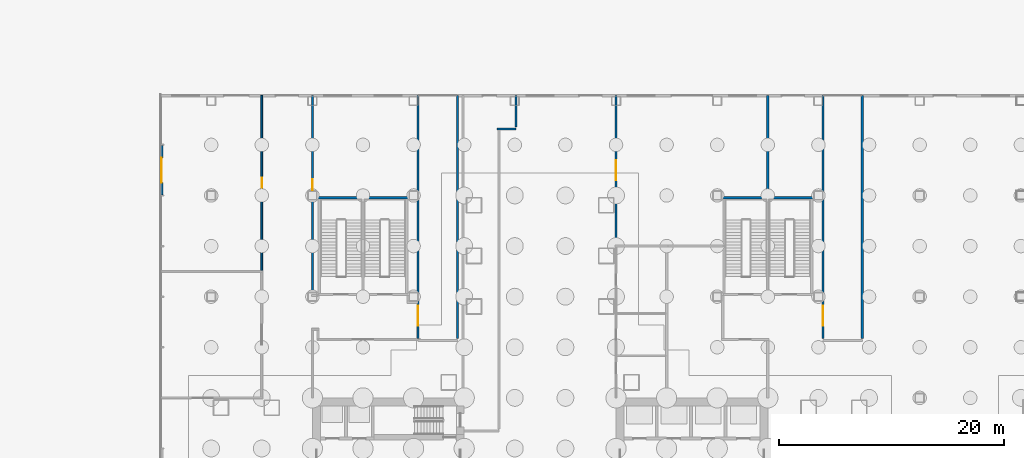
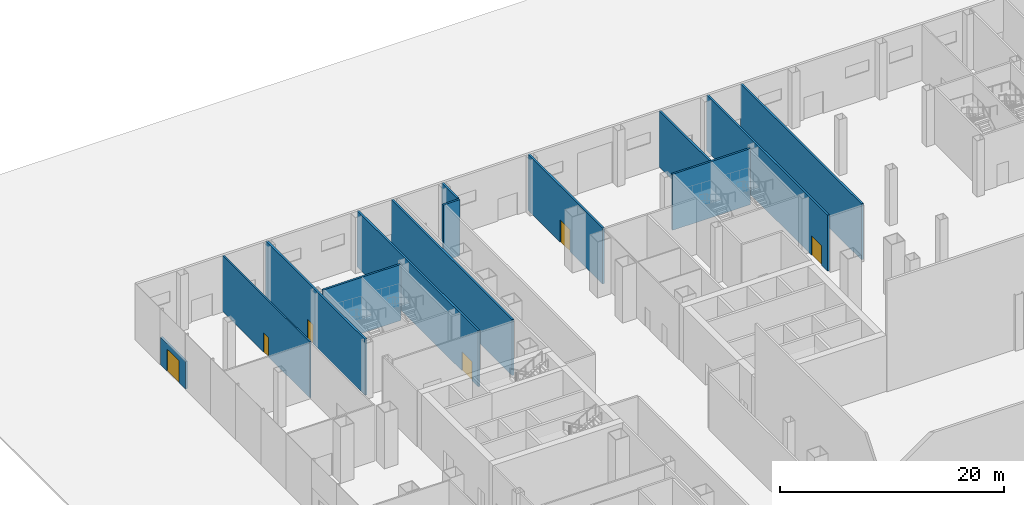
# One storey, part 24 of 37: 13 walls, 6 doors, 6 openings.
"""IFC4 building model written with IfcOpenShell, lengths in metres."""

from ifc_helpers import new_model, si_unit, direction, frame, frame_2d, origin, place, context, subcontext, project, spatial, rectangle, extrude, material, layer, layer_set, type_object, element, fill, save


model = new_model("IFC4")

# Units and contexts
model_context = context("Model", 3, precision=1e-05, world=origin(), true_north=direction((0.0, 1.0)))
body_context = subcontext(model_context, "Body", "Model", "MODEL_VIEW")
ifc_project = project(units=[si_unit("LENGTHUNIT", "METRE"), si_unit("AREAUNIT", "SQUARE_METRE"), si_unit("VOLUMEUNIT", "CUBIC_METRE"), si_unit("PLANEANGLEUNIT", "RADIAN"), si_unit("MASSUNIT", "GRAM", prefix="KILO")], contexts=[model_context])

# Site, building, storey
site_placement = place(None, origin())
site = spatial("IfcSite", under=ifc_project, at=site_placement, CompositionType="ELEMENT")
building_placement = place(site_placement, origin())
building = spatial("IfcBuilding", under=site, at=building_placement, Name="Shamsa Quay Exchange Towers", CompositionType="ELEMENT")
storey_placement = place(building_placement, origin())
storey = spatial("IfcBuildingStorey", under=building, at=storey_placement, Name="L00", CompositionType="ELEMENT", Elevation=0.0)

# Wall, opening, door
ifc_material_1 = material(Name="Aluminium EN AW-6063 T6, black anodised, with black enamelled glass infill", Category="aluminium")
ifc_layer_1 = layer(ifc_material_1, 0.199951171875)
ifc_layer_set_1 = layer_set([ifc_layer_1], Name="ENTRANCE DOOR BAY WALL 200")
wall_type_1 = type_object("IfcWallType", Name="ENTRANCE DOOR BAY WALL 200", PredefinedType="SOLIDWALL", material=ifc_layer_set_1)
wall_1_placement = place(storey_placement, frame((-67.39990234375, 24.7900390625, 0.0), z_axis=(0.0, 0.0, 1.0), x_axis=(0.0, 1.0, 0.0)))
wall_1 = element("IfcWall", 1, at=wall_1_placement, inside=storey, type_object=wall_type_1, Name="Entrance bay Street door 3", PredefinedType="SOLIDWALL", context=body_context, shape_type="SweptSolid", body=[
    extrude(rectangle(XDim=4.419921875, YDim=0.199951171875, at=frame_2d((2.2099609375, 0.0))), origin(), (0.0, 0.0, 1.0), 3.0),
])
opening_1_placement = place(wall_1_placement, frame((1.110107421875, 0.0, 0.0)))
opening_1 = element("IfcOpeningElement", 2, at=opening_1_placement, cuts=wall_1, Name="Opening XD021", PredefinedType="OPENING", context=body_context, shape_type="SweptSolid", body=[
    extrude(rectangle(XDim=2.199951171875, YDim=2.39990234375, at=frame_2d((1.10009765625, 1.199951171875))), frame((0.0, 0.10986328125, 0.0), z_axis=(0.0, -1.0, 0.0), x_axis=(1.0, 0.0, 0.0)), (0.0, 0.0, 1.0), 0.219970703125),
])
ifc_material_2 = material(Name="Aluminium EN AW-6063 T6, black anodised, with laminated glass leaves", Category="aluminium")
door_type_1 = type_object("IfcDoorType", Name="SHOP DOOR 2200x2400", OperationType="DOUBLE_DOOR_SINGLE_SWING", PredefinedType="DOOR", material=ifc_material_2)
door_1_placement = place(opening_1_placement, origin())
door_1 = element("IfcDoor", 3, at=door_1_placement, inside=storey, type_object=door_type_1, Name="Shop door Street door 3", OperationType="DOUBLE_DOOR_SINGLE_SWING", OverallHeight=2.39990234375, OverallWidth=2.199951171875, PredefinedType="DOOR", context=body_context, shape_type="SweptSolid", body=[
    extrude(rectangle(XDim=2.199951171875, YDim=2.39990234375, at=frame_2d((1.10009765625, 1.199951171875))), frame((0.0, 0.02490234375, 0.0), z_axis=(0.0, -1.0, 0.0), x_axis=(1.0, 0.0, 0.0)), (0.0, 0.0, 1.0), 0.050048828125),
])
fill(opening_1, door_1)

ifc_material_3 = material(Name="Gypsum board partition on metal studs")
ifc_layer_2 = layer(ifc_material_3, 0.14990234375)
ifc_layer_set_2 = layer_set([ifc_layer_2], Name="Partition 150 mm EI 60")
wall_type_2 = type_object("IfcWallType", Name="Partition 150 mm EI 60", PredefinedType="PARTITIONING", material=ifc_layer_set_2)
wall_2_placement = place(storey_placement, frame((-58.5, 18.074951171875, 0.0), z_axis=(0.0, 0.0, 1.0), x_axis=(0.0, 1.0, 0.0)))
wall_2 = element("IfcWall", 4, at=wall_2_placement, inside=storey, type_object=wall_type_2, Name="Partition PD-L00-W74", PredefinedType="PARTITIONING", context=body_context, shape_type="SweptSolid", body=[
    extrude(rectangle(XDim=15.580078125, YDim=0.14990234375, at=frame_2d((7.7900390625, 0.0))), origin(), (0.0, 0.0, 1.0), 6.10009765625),
])
opening_2_placement = place(wall_2_placement, frame((7.35009765625, 0.0, 0.0)))
opening_2 = element("IfcOpeningElement", 5, at=opening_2_placement, cuts=wall_2, Name="Opening PD-L00-D07", PredefinedType="OPENING", context=body_context, shape_type="SweptSolid", body=[
    extrude(rectangle(XDim=0.89990234375, YDim=2.10009765625, at=frame_2d((0.449951171875, 1.050048828125))), frame((0.0, 0.0849609375, 0.0), z_axis=(0.0, -1.0, 0.0), x_axis=(1.0, 0.0, 0.0)), (0.0, 0.0, 1.0), 0.169921875),
])
ifc_material_4 = material(Name="Timber door leaf in a metal frame", Category="wood")
door_type_2 = type_object("IfcDoorType", Name="Door 900x2100 FD30S", OperationType="NOTDEFINED", PredefinedType="DOOR", material=ifc_material_4)
door_2_placement = place(opening_2_placement, origin())
door_2 = element("IfcDoor", 6, at=door_2_placement, inside=storey, type_object=door_type_2, Name="Door PD-L00-D07", OperationType="SINGLE_SWING_RIGHT", OverallHeight=2.10009765625, OverallWidth=0.89990234375, PredefinedType="DOOR", context=body_context, shape_type="SweptSolid", body=[
    extrude(rectangle(XDim=0.89990234375, YDim=2.10009765625, at=frame_2d((0.449951171875, 1.050048828125))), frame((0.0, 0.02490234375, 0.0), z_axis=(0.0, -1.0, 0.0), x_axis=(1.0, 0.0, 0.0)), (0.0, 0.0, 1.0), 0.050048828125),
])
fill(opening_2, door_2)

# Walls
ifc_layer_3 = layer(ifc_material_3, 0.199951171875)
ifc_layer_set_3 = layer_set([ifc_layer_3], Name="Partition 200 mm EI 120")
wall_type_3 = type_object("IfcWallType", Name="Partition 200 mm EI 120", PredefinedType="PARTITIONING", material=ifc_layer_set_3)
wall_3_placement = place(storey_placement, frame((-35.89990234375, 30.85009765625, 0.0), z_axis=(0.0, 0.0, 1.0), x_axis=(0.0, 1.0, 0.0)))
element("IfcWall", 7, at=wall_3_placement, inside=storey, type_object=wall_type_3, Name="Partition PD-L00-W11", PredefinedType="PARTITIONING", context=body_context, shape_type="SweptSolid", body=[
    extrude(rectangle(XDim=2.804931640625, YDim=0.199951171875, at=frame_2d((1.40234375, 0.0))), origin(), (0.0, 0.0, 1.0), 6.10009765625),
])
wall_4_placement = place(storey_placement, frame((-37.60009765625, 30.64990234375, 0.0)))
element("IfcWall", 8, at=wall_4_placement, inside=storey, type_object=wall_type_3, Name="Partition PD-L00-W14", PredefinedType="PARTITIONING", context=body_context, shape_type="SweptSolid", body=[
    extrude(rectangle(XDim=1.7001953125, YDim=0.199951171875, at=frame_2d((0.85009765625, 0.0))), origin(), (0.0, 0.0, 1.0), 6.10009765625),
])

# Wall, opening, door
wall_5_placement = place(storey_placement, frame((-44.60009765625, 33.655029296875, 0.0), z_axis=(0.0, 0.0, 1.0), x_axis=(0.0, -1.0, 0.0)))
wall_5 = element("IfcWall", 9, at=wall_5_placement, inside=storey, type_object=wall_type_3, Name="Partition PD-L00-W24", PredefinedType="PARTITIONING", context=body_context, shape_type="SweptSolid", body=[
    extrude(rectangle(XDim=21.604736328125, YDim=0.199951171875, at=frame_2d((10.80224609375, 0.0))), origin(), (0.0, 0.0, 1.0), 6.10009765625),
])
opening_3_placement = place(wall_5_placement, frame((18.704833984375, 0.0, 0.0)))
opening_3 = element("IfcOpeningElement", 10, at=opening_3_placement, cuts=wall_5, Name="Opening PD-L00-D13", PredefinedType="OPENING", context=body_context, shape_type="SweptSolid", body=[
    extrude(rectangle(XDim=1.800048828125, YDim=2.10009765625, at=frame_2d((0.89990234375, 1.050048828125))), frame((0.0, 0.10986328125, 0.0), z_axis=(0.0, -1.0, 0.0), x_axis=(1.0, 0.0, 0.0)), (0.0, 0.0, 1.0), 0.219970703125),
])
door_type_3 = type_object("IfcDoorType", Name="Door 1800x2100 FD90 pair", OperationType="NOTDEFINED", PredefinedType="DOOR", material=ifc_material_4)
door_3_placement = place(opening_3_placement, origin())
door_3 = element("IfcDoor", 11, at=door_3_placement, inside=storey, type_object=door_type_3, Name="Door PD-L00-D13", OperationType="DOUBLE_DOOR_SINGLE_SWING", OverallHeight=2.10009765625, OverallWidth=1.800048828125, PredefinedType="DOOR", context=body_context, shape_type="SweptSolid", body=[
    extrude(rectangle(XDim=1.800048828125, YDim=2.10009765625, at=frame_2d((0.89990234375, 1.050048828125))), frame((0.0, 0.02490234375, 0.0), z_axis=(0.0, -1.0, 0.0), x_axis=(1.0, 0.0, 0.0)), (0.0, 0.0, 1.0), 0.050048828125),
])
fill(opening_3, door_3)

# Wall
wall_6_placement = place(storey_placement, frame((-41.10009765625, 12.05029296875, 0.0), z_axis=(0.0, 0.0, 1.0), x_axis=(0.0, 1.0, 0.0)))
element("IfcWall", 12, at=wall_6_placement, inside=storey, type_object=wall_type_3, Name="Partition PD-L00-W31", PredefinedType="PARTITIONING", context=body_context, shape_type="SweptSolid", body=[
    extrude(rectangle(XDim=21.604736328125, YDim=0.199951171875, at=frame_2d((10.80224609375, 0.0))), origin(), (0.0, 0.0, 1.0), 6.10009765625),
])

# Wall, opening, door
wall_7_placement = place(storey_placement, frame((-8.60009765625, 33.655029296875, 0.0), z_axis=(0.0, 0.0, 1.0), x_axis=(0.0, -1.0, 0.0)))
wall_7 = element("IfcWall", 13, at=wall_7_placement, inside=storey, type_object=wall_type_3, Name="Partition PD-L00-W32", PredefinedType="PARTITIONING", context=body_context, shape_type="SweptSolid", body=[
    extrude(rectangle(XDim=21.604736328125, YDim=0.199951171875, at=frame_2d((10.80224609375, 0.0))), origin(), (0.0, 0.0, 1.0), 6.10009765625),
])
opening_4_placement = place(wall_7_placement, frame((18.704833984375, 0.0, 0.0)))
opening_4 = element("IfcOpeningElement", 14, at=opening_4_placement, cuts=wall_7, Name="Opening PD-L00-D21", PredefinedType="OPENING", context=body_context, shape_type="SweptSolid", body=[
    extrude(rectangle(XDim=1.800048828125, YDim=2.10009765625, at=frame_2d((0.89990234375, 1.050048828125))), frame((0.0, 0.10986328125, 0.0), z_axis=(0.0, -1.0, 0.0), x_axis=(1.0, 0.0, 0.0)), (0.0, 0.0, 1.0), 0.219970703125),
])
door_4_placement = place(opening_4_placement, origin())
door_4 = element("IfcDoor", 15, at=door_4_placement, inside=storey, type_object=door_type_3, Name="Door PD-L00-D21", OperationType="DOUBLE_DOOR_SINGLE_SWING", OverallHeight=2.10009765625, OverallWidth=1.800048828125, PredefinedType="DOOR", context=body_context, shape_type="SweptSolid", body=[
    extrude(rectangle(XDim=1.800048828125, YDim=2.10009765625, at=frame_2d((0.89990234375, 1.050048828125))), frame((0.0, 0.02490234375, 0.0), z_axis=(0.0, -1.0, 0.0), x_axis=(1.0, 0.0, 0.0)), (0.0, 0.0, 1.0), 0.050048828125),
])
fill(opening_4, door_4)

# Wall
wall_8_placement = place(storey_placement, frame((-5.10009765625, 12.05029296875, 0.0), z_axis=(0.0, 0.0, 1.0), x_axis=(0.0, 1.0, 0.0)))
element("IfcWall", 16, at=wall_8_placement, inside=storey, type_object=wall_type_3, Name="Partition PD-L00-W33", PredefinedType="PARTITIONING", context=body_context, shape_type="SweptSolid", body=[
    extrude(rectangle(XDim=21.604736328125, YDim=0.199951171875, at=frame_2d((10.80224609375, 0.0))), origin(), (0.0, 0.0, 1.0), 6.10009765625),
])

# Wall, opening, door
wall_9_placement = place(storey_placement, frame((-27.0, 33.655029296875, 0.0), z_axis=(0.0, 0.0, 1.0), x_axis=(0.0, -1.0, 0.0)))
wall_9 = element("IfcWall", 17, at=wall_9_placement, inside=storey, type_object=wall_type_3, Name="Partition PD-L00-W43", PredefinedType="PARTITIONING", context=body_context, shape_type="SweptSolid", body=[
    extrude(rectangle(XDim=13.304931640625, YDim=0.199951171875, at=frame_2d((6.65234375, 0.0))), origin(), (0.0, 0.0, 1.0), 6.10009765625),
])
opening_5_placement = place(wall_9_placement, frame((5.7548828125, 0.0, 0.0)))
opening_5 = element("IfcOpeningElement", 18, at=opening_5_placement, cuts=wall_9, Name="Opening PD-L00-D18", PredefinedType="OPENING", context=body_context, shape_type="SweptSolid", body=[
    extrude(rectangle(XDim=1.800048828125, YDim=2.39990234375, at=frame_2d((0.89990234375, 1.199951171875))), frame((0.0, 0.10986328125, 0.0), z_axis=(0.0, -1.0, 0.0), x_axis=(1.0, 0.0, 0.0)), (0.0, 0.0, 1.0), 0.219970703125),
])
door_type_4 = type_object("IfcDoorType", Name="Door 1800x2400 FD60 pair", OperationType="NOTDEFINED", PredefinedType="DOOR", material=ifc_material_4)
door_5_placement = place(opening_5_placement, origin())
door_5 = element("IfcDoor", 19, at=door_5_placement, inside=storey, type_object=door_type_4, Name="Door PD-L00-D18", OperationType="DOUBLE_DOOR_SINGLE_SWING", OverallHeight=2.39990234375, OverallWidth=1.800048828125, PredefinedType="DOOR", context=body_context, shape_type="SweptSolid", body=[
    extrude(rectangle(XDim=1.800048828125, YDim=2.39990234375, at=frame_2d((0.89990234375, 1.199951171875))), frame((0.0, 0.02490234375, 0.0), z_axis=(0.0, -1.0, 0.0), x_axis=(1.0, 0.0, 0.0)), (0.0, 0.0, 1.0), 0.050048828125),
])
fill(opening_5, door_5)

# Wall
wall_10_placement = place(storey_placement, frame((-13.5, 24.650390625, 0.0), z_axis=(0.0, 0.0, 1.0), x_axis=(0.0, 1.0, 0.0)))
element("IfcWall", 20, at=wall_10_placement, inside=storey, type_object=wall_type_3, Name="Partition PD-L00-W55", PredefinedType="PARTITIONING", context=body_context, shape_type="SweptSolid", body=[
    extrude(rectangle(XDim=9.004638671875, YDim=0.199951171875, at=frame_2d((4.50244140625, 0.0))), origin(), (0.0, 0.0, 1.0), 6.10009765625),
])

# Wall, opening, door
ifc_layer_4 = layer(ifc_material_3, 0.199951171875)
ifc_layer_set_4 = layer_set([ifc_layer_4], Name="Partition 200 mm EI 90")
wall_type_4 = type_object("IfcWallType", Name="Partition 200 mm EI 90", PredefinedType="PARTITIONING", material=ifc_layer_set_4)
wall_11_placement = place(storey_placement, frame((-54.0, 33.655029296875, 0.0), z_axis=(0.0, 0.0, 1.0), x_axis=(0.0, -1.0, 0.0)))
wall_11 = element("IfcWall", 21, at=wall_11_placement, inside=storey, type_object=wall_type_4, Name="Partition PD-L00-W70", PredefinedType="PARTITIONING", context=body_context, shape_type="SweptSolid", body=[
    extrude(rectangle(XDim=17.705322265625, YDim=0.199951171875, at=frame_2d((8.8525390625, 0.0))), origin(), (0.0, 0.0, 1.0), 6.10009765625),
])
opening_6_placement = place(wall_11_placement, frame((7.455078125, 0.0, 0.0)))
opening_6 = element("IfcOpeningElement", 22, at=opening_6_placement, cuts=wall_11, Name="Opening PD-L00-D10", PredefinedType="OPENING", context=body_context, shape_type="SweptSolid", body=[
    extrude(rectangle(XDim=1.0, YDim=2.10009765625, at=frame_2d((0.5, 1.050048828125))), frame((0.0, 0.10986328125, 0.0), z_axis=(0.0, -1.0, 0.0), x_axis=(1.0, 0.0, 0.0)), (0.0, 0.0, 1.0), 0.219970703125),
])
door_type_5 = type_object("IfcDoorType", Name="Door 1000x2100 FD60", OperationType="NOTDEFINED", PredefinedType="DOOR", material=ifc_material_4)
door_6_placement = place(opening_6_placement, origin())
door_6 = element("IfcDoor", 23, at=door_6_placement, inside=storey, type_object=door_type_5, Name="Door PD-L00-D10", OperationType="SINGLE_SWING_LEFT", OverallHeight=2.10009765625, OverallWidth=1.0, PredefinedType="DOOR", context=body_context, shape_type="SweptSolid", body=[
    extrude(rectangle(XDim=1.0, YDim=2.10009765625, at=frame_2d((0.5, 1.050048828125))), frame((0.0, 0.02490234375, 0.0), z_axis=(0.0, -1.0, 0.0), x_axis=(1.0, 0.0, 0.0)), (0.0, 0.0, 1.0), 0.050048828125),
])
fill(opening_6, door_6)

# Walls
ifc_material_5 = material(Name="Concrete C50/60", Category="concrete")
ifc_layer_5 = layer(ifc_material_5, 0.199951171875)
ifc_layer_set_5 = layer_set([ifc_layer_5], Name="STAIR ENCLOSURE WALL 200 C50/60")
wall_type_5 = type_object("IfcWallType", Name="STAIR ENCLOSURE WALL 200 C50/60", PredefinedType="SHEAR", material=ifc_layer_set_5)
for number, where, name in (
    (24, (-53.5, 24.550048828125, 0.0), "Stair enclosure wall PS1 outward"),
    (25, (-17.5, 24.550048828125, 0.0), "Stair enclosure wall PS2 outward"),
):
    element("IfcWall", number, at=place(storey_placement, frame(where)), inside=storey, type_object=wall_type_5, Name=name, PredefinedType="SHEAR", context=body_context, shape_type="SweptSolid", body=[
        extrude(rectangle(XDim=8.0, YDim=0.199951171875, at=frame_2d((4.0, 0.0))), origin(), (0.0, 0.0, 1.0), 6.10009765625),
    ])

save(model, "model.ifc")
